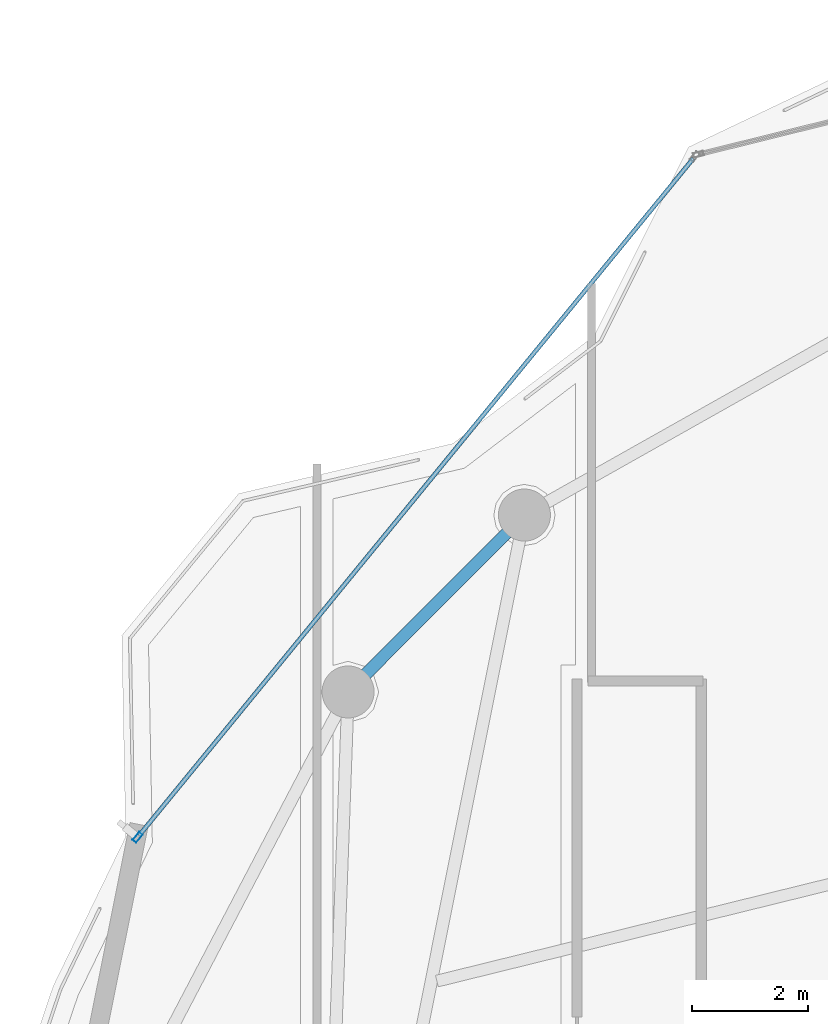
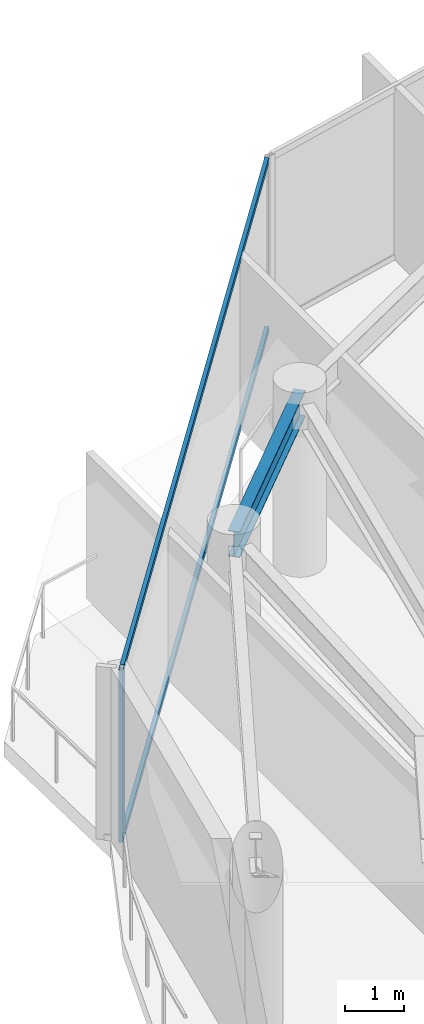
# One storey, part 18 of 29: 3 members, 1 beam, 1 element without a shape of its own.
"""IFC4 building model written with IfcOpenShell, lengths in metres."""

from ifc_helpers import new_model, si_unit, direction, frame, origin, origin_2d, place, context, subcontext, project, spatial, hollow_rectangle, i_section, extrude, material, layer, layer_set, material_profile, profile_set, type_object, element, aggregate, save


model = new_model("IFC4")

# Units and contexts
model_context = context("Model", 3, precision=1e-05, world=origin(), true_north=direction((0.0, 1.0)))
body_context = subcontext(model_context, "Body", "Model", "MODEL_VIEW")
ifc_project = project(units=[si_unit("LENGTHUNIT", "METRE"), si_unit("AREAUNIT", "SQUARE_METRE"), si_unit("VOLUMEUNIT", "CUBIC_METRE"), si_unit("PLANEANGLEUNIT", "RADIAN"), si_unit("MASSUNIT", "GRAM", prefix="KILO")], contexts=[model_context])

# Site, building, storey
site_placement = place(None, origin())
site = spatial("IfcSite", under=ifc_project, at=site_placement, CompositionType="ELEMENT")
building_placement = place(site_placement, origin())
building = spatial("IfcBuilding", under=site, at=building_placement, Name="Kazevale Care Tower and Concert Hall", CompositionType="ELEMENT")
storey_placement = place(building_placement, frame((0.0, 0.0, 281.39990234375)))
storey = spatial("IfcBuildingStorey", under=building, at=storey_placement, Name="L74", CompositionType="ELEMENT", Elevation=281.39990234375)

# Curtain wall, members
ifc_material_1 = material(Name="Aluminium 6063-T6 and Low-E Glass", Category="aluminium")
ifc_layer = layer(ifc_material_1, 0.179931640625)
ifc_layer_set = layer_set([ifc_layer], Name="Aluminium 6063-T6 and Low-E Glass")
curtain_wall_type = type_object("IfcCurtainWallType", Name="Convex Checkerboard Finned Curtain Wall CW-2", PredefinedType="NOTDEFINED", material=ifc_layer_set)
curtain_wall_placement = place(storey_placement, origin())
curtain_wall = element("IfcCurtainWall", 1, at=curtain_wall_placement, inside=storey, type_object=curtain_wall_type, Name="cw:L74:f14", PredefinedType="NOTDEFINED")
ifc_material_2 = material(Name="Aluminium 6063-T6", Category="aluminium")
ifc_material_profile_1 = material_profile(ifc_material_2, hollow_rectangle(XDim=0.080078125, YDim=0.179931640625, WallThickness=0.0048828125, at=origin_2d()), Name="ALU80x180x5")
ifc_profile_set_1 = profile_set([ifc_material_profile_1], Name="Aluminium 6063-T6")
member_type_1 = type_object("IfcMemberType", Name="CW-2 Mullion ALU80x180x5", PredefinedType="MULLION", material=ifc_profile_set_1)
member_1_placement = place(storey_placement, frame((18.8984375, 48.794921875, 0.0), z_axis=(0.0, 0.0, 1.0), x_axis=(-0.773802882676, 0.63342647463, 0.0)))
member_1 = element("IfcMember", 2, at=member_1_placement, type_object=member_type_1, Name="CW-2 mullion 1", PredefinedType="MULLION", context=body_context, shape_type="SweptSolid", body=[
    extrude(hollow_rectangle(XDim=0.080078125, YDim=0.179931640625, WallThickness=0.0048828125, at=origin_2d()), origin(), (0.0, 0.0, 1.0), 3.56005859375),
])
ifc_material_profile_2 = material_profile(ifc_material_2, hollow_rectangle(XDim=0.074951171875, YDim=0.1201171875, WallThickness=0.00390625, at=origin_2d()), Name="ALU75x120x4")
ifc_profile_set_2 = profile_set([ifc_material_profile_2], Name="Aluminium 6063-T6")
member_type_2 = type_object("IfcMemberType", Name="CW-2 Transom ALU75x120x4", PredefinedType="USERDEFINED", material=ifc_profile_set_2)
member_2_placement = place(storey_placement, frame((18.923583984375, 48.825927734375, 0.03759765625), z_axis=(0.633427513574, 0.773802032206, 0.0), x_axis=(-0.773802032206, 0.633427513574, 0.0)))
member_2 = element("IfcMember", 3, at=member_2_placement, type_object=member_type_2, Name="CW-2 transom 1.1", ObjectType="TRANSOM", PredefinedType="USERDEFINED", context=body_context, shape_type="SweptSolid", body=[
    extrude(hollow_rectangle(XDim=0.074951171875, YDim=0.1201171875, WallThickness=0.00390625, at=origin_2d()), origin(), (0.0, 0.0, 1.0), 15.134521484375),
])
member_3_placement = place(storey_placement, frame((18.923583984375, 48.825927734375, 3.522705078125), z_axis=(0.633427513574, 0.773802032206, 0.0), x_axis=(-0.773802032206, 0.633427513574, 0.0)))
member_3 = element("IfcMember", 4, at=member_3_placement, type_object=member_type_2, Name="CW-2 transom 1.2", ObjectType="TRANSOM", PredefinedType="USERDEFINED", context=body_context, shape_type="SweptSolid", body=[
    extrude(hollow_rectangle(XDim=0.074951171875, YDim=0.1201171875, WallThickness=0.00390625, at=origin_2d()), origin(), (0.0, 0.0, 1.0), 15.134521484375),
])
aggregate(curtain_wall, [member_1, member_2, member_3])

# Beam
ifc_material_3 = material(Name="Steel ASTM A572 Gr 50", Category="steel")
ifc_material_profile_3 = material_profile(ifc_material_3, i_section(OverallWidth=0.208984375, OverallDepth=0.532958984375, WebThickness=0.01025390625, FlangeThickness=0.015625, at=origin_2d()), Name="W530x92")
ifc_profile_set_3 = profile_set([ifc_material_profile_3], Name="Steel ASTM A572 Gr 50")
beam_type = type_object("IfcBeamType", Name="Upper Ring Beam W530x92", PredefinedType="BEAM", material=ifc_profile_set_3)
beam_placement = place(storey_placement, frame((25.590087890625, 54.3701171875, 3.293701171875), z_axis=(-0.705947429832, -0.708264234812, 0.0), x_axis=(0.708264234812, -0.705947429832, 0.0)))
element("IfcBeam", 5, at=beam_placement, inside=storey, type_object=beam_type, Name="beam:L74:ring:07", PredefinedType="BEAM", context=body_context, shape_type="SweptSolid", body=[
    extrude(i_section(OverallWidth=0.208984375, OverallDepth=0.532958984375, WebThickness=0.01025390625, FlangeThickness=0.015625, at=origin_2d()), origin(), (0.0, 0.0, 1.0), 4.320556640625),
])

save(model, "model.ifc")
